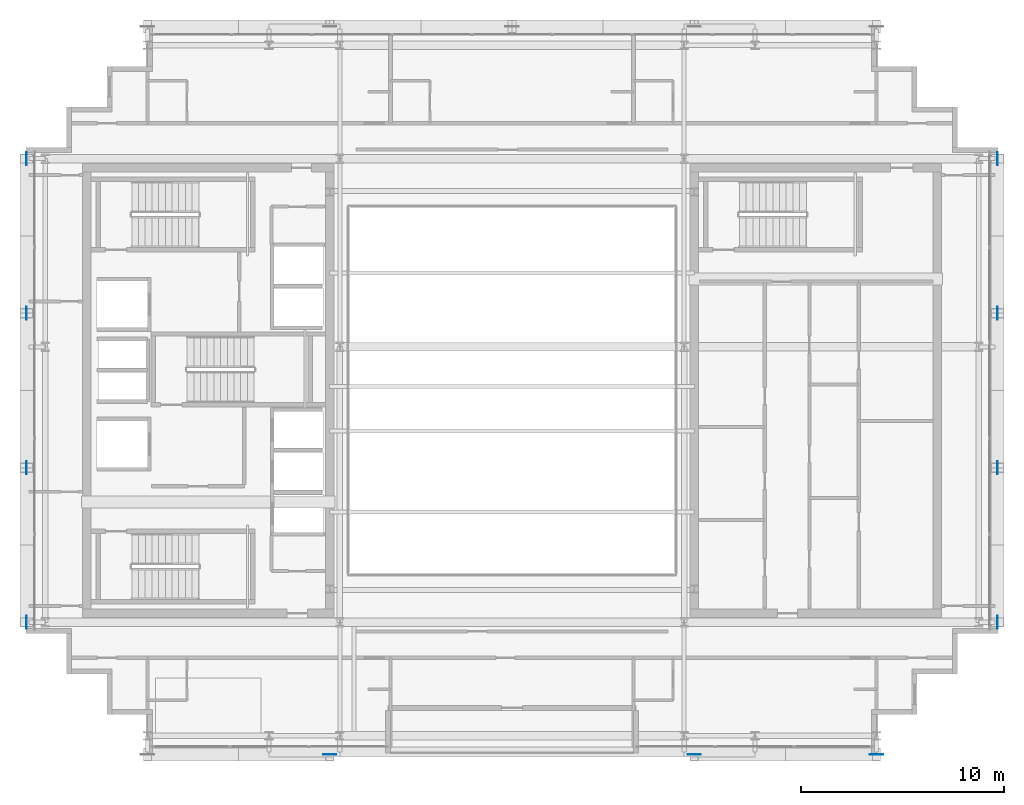
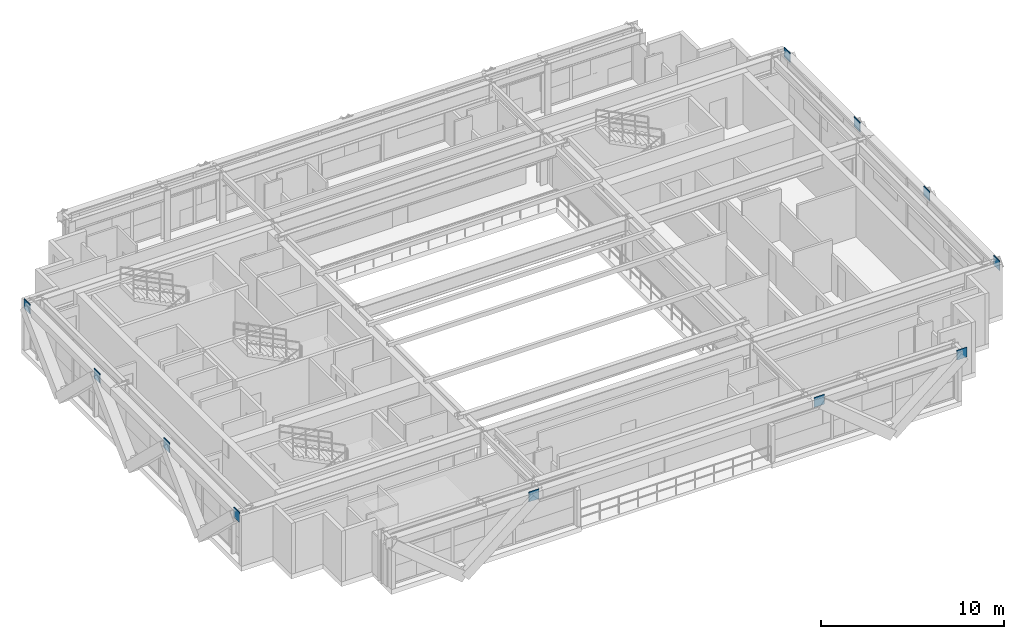
# One storey, part 20 of 29: 11 plates.
"""IFC4 building model written with IfcOpenShell, lengths in metres."""

from ifc_helpers import new_model, si_unit, direction, frame, origin, origin_2d, place, context, subcontext, project, spatial, rectangle, extrude, source, transform, mapped, material, layer, layer_set, type_object, element, save


model = new_model("IFC4")

# Units and contexts
model_context = context("Model", 3, precision=1e-05, world=origin(), true_north=direction((0.0, 1.0)))
body_context = subcontext(model_context, "Body", "Model", "MODEL_VIEW")
ifc_project = project(units=[si_unit("LENGTHUNIT", "METRE"), si_unit("AREAUNIT", "SQUARE_METRE"), si_unit("VOLUMEUNIT", "CUBIC_METRE"), si_unit("PLANEANGLEUNIT", "RADIAN"), si_unit("MASSUNIT", "GRAM", prefix="KILO")], contexts=[model_context])

# Site, building, storey
site_placement = place(None, origin())
site = spatial("IfcSite", under=ifc_project, at=site_placement, CompositionType="ELEMENT")
building_placement = place(site_placement, origin())
building = spatial("IfcBuilding", under=site, at=building_placement, Name="Ocotamira Hotel", CompositionType="ELEMENT")
storey_placement = place(building_placement, frame((0.0, 0.0, 247.199951171875)))
storey = spatial("IfcBuildingStorey", under=building, at=storey_placement, Name="L62", CompositionType="ELEMENT", Elevation=247.199951171875)

# Plates
ifc_material = material(Name="Pale-metal coated steel ASTM A572 Grade 50", Category="steel")
ifc_layer = layer(ifc_material, 0.0400390625)
ifc_layer_set = layer_set([ifc_layer], Name="Pale-metal coated steel ASTM A572 Grade 50")
plate_type = type_object("IfcPlateType", Name="PLT-GUSSET-40", PredefinedType="SHEET", material=ifc_layer_set)
shared_shape_1 = source(origin(), body_context, "Body", "SweptSolid", [
    extrude(rectangle(XDim=0.64990234375, YDim=0.0400390625, at=origin_2d()), origin(), (0.0, 0.0, 1.0), 0.64990234375),
])
for number, where, z_axis, x_axis, name in (
    (1, (23.0, 8.030029296875, 2.80517578125), (0.0, 0.0, 1.0), (1.0, 0.0, 0.0), "L62 Exoskeleton Diagrid S0.2 End Gusset B"),
    (2, (41.0, 8.030029296875, 2.80517578125), (0.0, 0.0, 1.0), (-1.0, 0.0, 0.0), "L62 Exoskeleton Diagrid S3.1 End Gusset B"),
    (3, (50.0, 8.030029296875, 2.80517578125), (0.0, 0.0, 1.0), (1.0, 0.0, 0.0), "L62 Exoskeleton Diagrid S3.2 End Gusset B"),
):
    element("IfcPlate", number, at=place(storey_placement, frame(where, z_axis=z_axis, x_axis=x_axis)), inside=storey, type_object=plate_type, Name=name, PredefinedType="SHEET", context=body_context, shape_type="MappedRepresentation", body=[
        mapped(shared_shape_1, transform((0.0, 0.0, 0.0), scale=1.0)),
    ])
shared_shape_2 = source(origin(), body_context, "Body", "SweptSolid", [
    extrude(rectangle(XDim=0.0400390625, YDim=0.64990234375, at=origin_2d()), origin(), (0.0, 0.0, 1.0), 0.64990234375),
])
for number, where, z_axis, x_axis, name in (
    (4, (8.030029296875, 14.550048828125, 2.80517578125), (0.0, 0.0, 1.0), (1.0, 0.0, 0.0), "L62 Exoskeleton Diagrid W0.1 End Gusset B"),
    (5, (8.030029296875, 22.183349609375, 2.80517578125), (0.0, 0.0, 1.0), (1.0, 0.0, 0.0), "L62 Exoskeleton Diagrid W0.2 End Gusset B"),
    (6, (8.030029296875, 29.816650390625, 2.80517578125), (0.0, 0.0, 1.0), (1.0, 0.0, 0.0), "L62 Exoskeleton Diagrid W1.2 End Gusset B"),
    (7, (8.030029296875, 37.449951171875, 2.80517578125), (0.0, 0.0, 1.0), (1.0, 0.0, 0.0), "L62 Exoskeleton Diagrid W2.2 End Gusset B"),
    (8, (55.969970703125, 14.550048828125, 2.80517578125), (0.0, 0.0, 1.0), (1.0, 0.0, 0.0), "L62 Exoskeleton Diagrid E0.1 End Gusset B"),
    (9, (55.969970703125, 22.183349609375, 2.80517578125), (0.0, 0.0, 1.0), (1.0, 0.0, 0.0), "L62 Exoskeleton Diagrid E0.2 End Gusset B"),
    (10, (55.969970703125, 29.816650390625, 2.80517578125), (0.0, 0.0, 1.0), (1.0, 0.0, 0.0), "L62 Exoskeleton Diagrid E1.2 End Gusset B"),
    (11, (55.969970703125, 37.449951171875, 2.80517578125), (0.0, 0.0, 1.0), (1.0, 0.0, 0.0), "L62 Exoskeleton Diagrid E2.2 End Gusset B"),
):
    element("IfcPlate", number, at=place(storey_placement, frame(where, z_axis=z_axis, x_axis=x_axis)), inside=storey, type_object=plate_type, Name=name, PredefinedType="SHEET", context=body_context, shape_type="MappedRepresentation", body=[
        mapped(shared_shape_2, transform((0.0, 0.0, 0.0), scale=1.0)),
    ])

save(model, "model.ifc")
